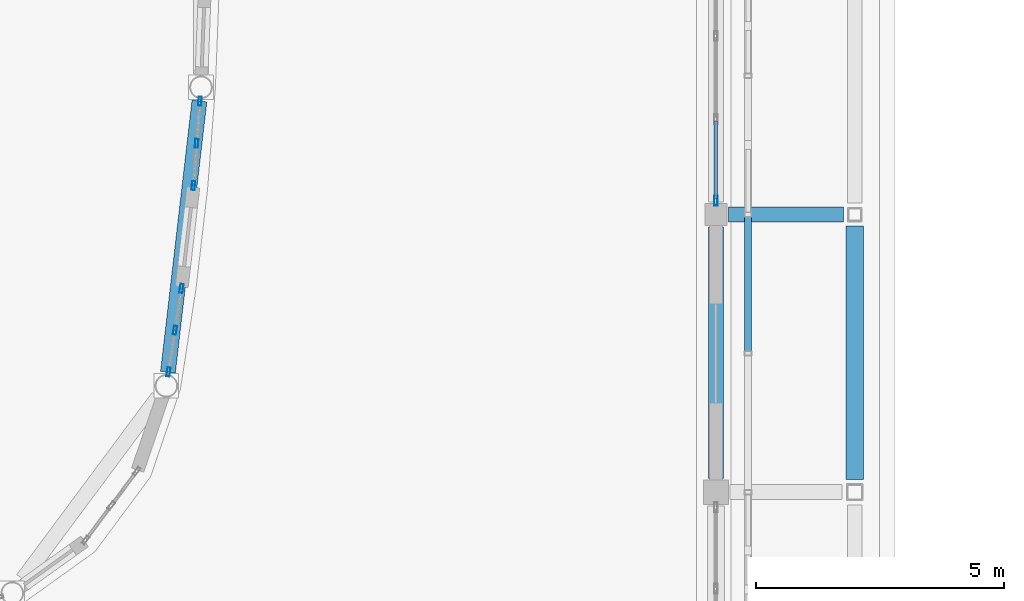
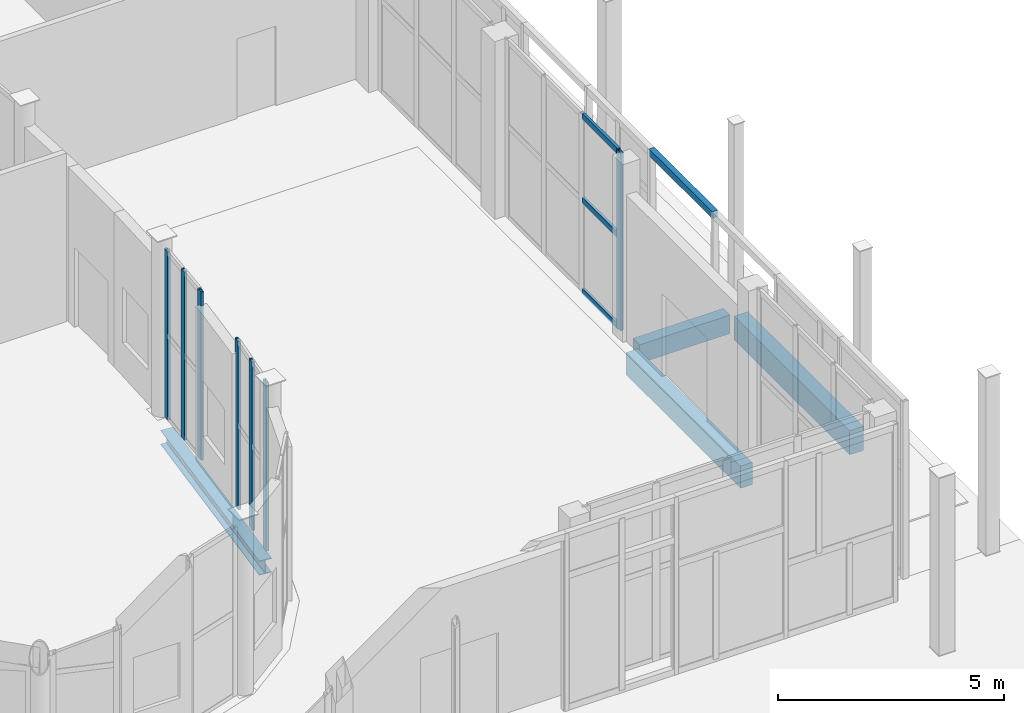
# One storey, part 41 of 91: 11 members, 4 beams, 3 elements without a shape of their own.
"""IFC4 building model written with IfcOpenShell, lengths in metres."""

from ifc_helpers import new_model, si_unit, direction, frame, origin, origin_2d, place, context, subcontext, project, spatial, rectangle, hollow_rectangle, i_section, extrude, material, layer, layer_set, material_profile, profile_set, type_object, element, aggregate, save


model = new_model("IFC4")

# Units and contexts
model_context = context("Model", 3, precision=1e-05, world=origin(), true_north=direction((0.0, 1.0)))
body_context = subcontext(model_context, "Body", "Model", "MODEL_VIEW")
ifc_project = project(units=[si_unit("LENGTHUNIT", "METRE"), si_unit("AREAUNIT", "SQUARE_METRE"), si_unit("VOLUMEUNIT", "CUBIC_METRE"), si_unit("PLANEANGLEUNIT", "RADIAN"), si_unit("MASSUNIT", "GRAM", prefix="KILO")], contexts=[model_context])

# Site, building, storey
site_placement = place(None, origin())
site = spatial("IfcSite", under=ifc_project, at=site_placement, CompositionType="ELEMENT")
building_placement = place(site_placement, origin())
building = spatial("IfcBuilding", under=site, at=building_placement, Name="Vinh Khe Railworks Police Headquarters", CompositionType="ELEMENT")
storey_placement = place(building_placement, origin())
storey = spatial("IfcBuildingStorey", under=building, at=storey_placement, Name="L00", CompositionType="ELEMENT", Elevation=0.0)

# Member
ifc_material_1 = material(Name="Salvaged ironwood timber", Category="wood")
ifc_material_profile_1 = material_profile(ifc_material_1, rectangle(XDim=0.139892578125, YDim=0.179931640625, at=origin_2d()), Name="TIMBER 140x180")
ifc_profile_set_1 = profile_set([ifc_material_profile_1], Name="Salvaged ironwood timber")
member_type_1 = type_object("IfcMemberType", Name="MEM-QUILT-STILE", PredefinedType="CHORD", material=ifc_profile_set_1)
member_1_placement = place(storey_placement, frame((60.64990234375, 33.60009765625, 4.719970703125), z_axis=(0.0, 1.0, 0.0), x_axis=(-1.0, 0.0, 0.0)))
element("IfcMember", 1, at=member_1_placement, inside=storey, type_object=member_type_1, Name="Salvaged Timber Quilt Transom E-L00-03-TOP", PredefinedType="CHORD", context=body_context, shape_type="SweptSolid", body=[
    extrude(rectangle(XDim=0.139892578125, YDim=0.179931640625, at=origin_2d()), origin(), (0.0, 0.0, 1.0), 2.7998046875),
])

# Curtain wall, members
ifc_material_2 = material(Name="Anodised aluminium and acoustic laminated glass", Category="aluminium")
ifc_layer_1 = layer(ifc_material_2, 0.159912109375)
ifc_layer_set_1 = layer_set([ifc_layer_1], Name="Anodised aluminium and acoustic laminated glass")
curtain_wall_type_1 = type_object("IfcCurtainWallType", Name="CW-DRUM-CHORD", PredefinedType="USERDEFINED", material=ifc_layer_set_1)
curtain_wall_1_placement = place(storey_placement, origin())
curtain_wall_1 = element("IfcCurtainWall", 2, at=curtain_wall_1_placement, inside=storey, type_object=curtain_wall_type_1, Name="Elliptical Command Drum Glazing L00 Chord 1", ObjectType="DRUM FACADE GLAZING", PredefinedType="USERDEFINED")
ifc_material_3 = material(Name="Anodised aluminium 6063-T6", Category="aluminium")
ifc_material_profile_2 = material_profile(ifc_material_3, hollow_rectangle(XDim=0.06494140625, YDim=0.179931640625, WallThickness=0.0048828125, at=origin_2d()), Name="CW-M 65x180x5")
ifc_profile_set_2 = profile_set([ifc_material_profile_2], Name="Anodised aluminium 6063-T6")
member_type_2 = type_object("IfcMemberType", Name="MULL-CWM-02", PredefinedType="MULLION", material=ifc_profile_set_2)
member_2_placement = place(storey_placement, frame((48.956298828125, 33.2216796875, 0.0), z_axis=(0.0, 0.0, 1.0), x_axis=(-0.988149989037, 0.153491365117, 0.0)))
member_2 = element("IfcMember", 3, at=member_2_placement, type_object=member_type_2, Name="CW-02 mullion 1", PredefinedType="MULLION", context=body_context, shape_type="SweptSolid", body=[
    extrude(hollow_rectangle(XDim=0.06494140625, YDim=0.179931640625, WallThickness=0.0048828125, at=origin_2d()), origin(), (0.0, 0.0, 1.0), 4.550048828125),
])
member_3_placement = place(storey_placement, frame((49.08740234375, 34.066162109375, 0.0), z_axis=(0.0, 0.0, 1.0), x_axis=(-0.988149989037, 0.153491365117, 0.0)))
member_3 = element("IfcMember", 4, at=member_3_placement, type_object=member_type_2, Name="CW-02 mullion 2", PredefinedType="MULLION", context=body_context, shape_type="SweptSolid", body=[
    extrude(hollow_rectangle(XDim=0.06494140625, YDim=0.179931640625, WallThickness=0.0048828125, at=origin_2d()), origin(), (0.0, 0.0, 1.0), 4.550048828125),
])
member_4_placement = place(storey_placement, frame((49.218505859375, 34.910400390625, 0.0), z_axis=(0.0, 0.0, 1.0), x_axis=(-0.988149989037, 0.153491365117, 0.0)))
member_4 = element("IfcMember", 5, at=member_4_placement, type_object=member_type_2, Name="CW-02 mullion 3", PredefinedType="MULLION", context=body_context, shape_type="SweptSolid", body=[
    extrude(hollow_rectangle(XDim=0.06494140625, YDim=0.179931640625, WallThickness=0.0048828125, at=origin_2d()), origin(), (0.0, 0.0, 1.0), 4.550048828125),
])
aggregate(curtain_wall_1, [member_2, member_3, member_4])

curtain_wall_2_placement = place(storey_placement, origin())
curtain_wall_2 = element("IfcCurtainWall", 6, at=curtain_wall_2_placement, inside=storey, type_object=curtain_wall_type_1, Name="Elliptical Command Drum Glazing L00 Chord 3", ObjectType="DRUM FACADE GLAZING", PredefinedType="USERDEFINED")
member_5_placement = place(storey_placement, frame((49.459228515625, 36.98388671875, 0.0), z_axis=(0.0, 0.0, 1.0), x_axis=(-0.997033391352, 0.076970231448, 0.0)))
member_5 = element("IfcMember", 7, at=member_5_placement, type_object=member_type_2, Name="CW-02 mullion 1", PredefinedType="MULLION", context=body_context, shape_type="SweptSolid", body=[
    extrude(hollow_rectangle(XDim=0.06494140625, YDim=0.179931640625, WallThickness=0.0048828125, at=origin_2d()), origin(), (0.0, 0.0, 1.0), 4.550048828125),
])
member_6_placement = place(storey_placement, frame((49.52490234375, 37.835693359375, 0.0), z_axis=(0.0, 0.0, 1.0), x_axis=(-0.997033391352, 0.076970231448, 0.0)))
member_6 = element("IfcMember", 8, at=member_6_placement, type_object=member_type_2, Name="CW-02 mullion 2", PredefinedType="MULLION", context=body_context, shape_type="SweptSolid", body=[
    extrude(hollow_rectangle(XDim=0.06494140625, YDim=0.179931640625, WallThickness=0.0048828125, at=origin_2d()), origin(), (0.0, 0.0, 1.0), 4.550048828125),
])
member_7_placement = place(storey_placement, frame((49.5908203125, 38.687744140625, 0.0), z_axis=(0.0, 0.0, 1.0), x_axis=(-0.997033391352, 0.076970231448, 0.0)))
member_7 = element("IfcMember", 9, at=member_7_placement, type_object=member_type_2, Name="CW-02 mullion 3", PredefinedType="MULLION", context=body_context, shape_type="SweptSolid", body=[
    extrude(hollow_rectangle(XDim=0.06494140625, YDim=0.179931640625, WallThickness=0.0048828125, at=origin_2d()), origin(), (0.0, 0.0, 1.0), 4.550048828125),
])
aggregate(curtain_wall_2, [member_5, member_6, member_7])

# Curtain wall, member
ifc_material_4 = material(Name="Anodised aluminium and low-iron glass", Category="aluminium")
ifc_layer_2 = layer(ifc_material_4, 0.179931640625)
ifc_layer_set_2 = layer_set([ifc_layer_2], Name="Anodised aluminium and low-iron glass")
curtain_wall_type_2 = type_object("IfcCurtainWallType", Name="CW-CUBE-UNIT", PredefinedType="USERDEFINED", material=ifc_layer_set_2)
curtain_wall_3_placement = place(storey_placement, origin())
curtain_wall_3 = element("IfcCurtainWall", 10, at=curtain_wall_3_placement, inside=storey, type_object=curtain_wall_type_2, Name="Entrance Hall Curtain Wall L00 E-3", ObjectType="UNITISED GLAZING", PredefinedType="USERDEFINED")
ifc_material_profile_3 = material_profile(ifc_material_3, hollow_rectangle(XDim=0.070068359375, YDim=0.199951171875, WallThickness=0.0048828125, at=origin_2d()), Name="CW-M 70x200x5")
ifc_profile_set_3 = profile_set([ifc_material_profile_3], Name="Anodised aluminium 6063-T6")
member_type_3 = type_object("IfcMemberType", Name="MULL-CWM-03", PredefinedType="MULLION", material=ifc_profile_set_3)
member_8_placement = place(storey_placement, frame((60.0, 36.679931640625, 0.0), z_axis=(0.0, 0.0, 1.0), x_axis=(-1.0, 0.0, 0.0)))
member_8 = element("IfcMember", 11, at=member_8_placement, type_object=member_type_3, Name="CW-01 mullion 1", PredefinedType="MULLION", context=body_context, shape_type="SweptSolid", body=[
    extrude(hollow_rectangle(XDim=0.070068359375, YDim=0.199951171875, WallThickness=0.0048828125, at=origin_2d()), origin(), (0.0, 0.0, 1.0), 4.800048828125),
])

# Beams
ifc_material_5 = material(Name="Concrete C35/45 (B35)", Category="concrete")
ifc_material_profile_4 = material_profile(ifc_material_5, rectangle(XDim=0.300048828125, YDim=0.5, at=origin_2d()), Name="RC 300x500")
ifc_profile_set_4 = profile_set([ifc_material_profile_4], Name="Concrete C35/45 (B35)")
beam_type_1 = type_object("IfcBeamType", Name="RC Girder RC 300x500", PredefinedType="BEAM", material=ifc_profile_set_4)
beam_1_placement = place(storey_placement, frame((60.2548828125, 36.39990234375, -0.530029296875), z_axis=(1.0, 0.0, 0.0), x_axis=(0.0, 1.0, 0.0)))
element("IfcBeam", 12, at=beam_1_placement, inside=storey, type_object=beam_type_1, Name="Girder BM-L00-EW-RB-10-0054", PredefinedType="BEAM", context=body_context, shape_type="SweptSolid", body=[
    extrude(rectangle(XDim=0.300048828125, YDim=0.5, at=origin_2d()), origin(), (0.0, 0.0, 1.0), 2.315185546875),
])
ifc_material_profile_5 = material_profile(ifc_material_5, rectangle(XDim=0.300048828125, YDim=0.60009765625, at=origin_2d()), Name="RC 300x600")
ifc_profile_set_5 = profile_set([ifc_material_profile_5], Name="Concrete C35/45 (B35)")
beam_type_2 = type_object("IfcBeamType", Name="RC Girder RC 300x600", PredefinedType="BEAM", material=ifc_profile_set_5)
beam_2_placement = place(storey_placement, frame((60.0, 31.080078125, -0.580078125), z_axis=(0.0, 1.0, 0.0), x_axis=(-1.0, 0.0, 0.0)))
element("IfcBeam", 13, at=beam_2_placement, inside=storey, type_object=beam_type_2, Name="Girder BM-L00-NS-RB-09-0323", PredefinedType="BEAM", context=body_context, shape_type="SweptSolid", body=[
    extrude(rectangle(XDim=0.300048828125, YDim=0.60009765625, at=origin_2d()), origin(), (0.0, 0.0, 1.0), 5.06494140625),
])
ifc_material_profile_6 = material_profile(ifc_material_5, rectangle(XDim=0.35009765625, YDim=0.64990234375, at=origin_2d()), Name="RC 350x650")
ifc_profile_set_6 = profile_set([ifc_material_profile_6], Name="Concrete C35/45 (B35)")
beam_type_3 = type_object("IfcBeamType", Name="RC Girder RC 350x650", PredefinedType="BEAM", material=ifc_profile_set_6)
beam_3_placement = place(storey_placement, frame((62.800048828125, 31.054931640625, -0.60498046875), z_axis=(0.0, 1.0, 0.0), x_axis=(-1.0, 0.0, 0.0)))
element("IfcBeam", 14, at=beam_3_placement, inside=storey, type_object=beam_type_3, Name="Girder BM-L00-NS-RB-08-0337", PredefinedType="BEAM", context=body_context, shape_type="SweptSolid", body=[
    extrude(rectangle(XDim=0.35009765625, YDim=0.64990234375, at=origin_2d()), origin(), (0.0, 0.0, 1.0), 5.114990234375),
])
ifc_material_6 = material(Name="Steel S355JR", Category="steel")
ifc_material_profile_7 = material_profile(ifc_material_6, i_section(OverallWidth=0.300048828125, OverallDepth=0.389892578125, WebThickness=0.010986328125, FlangeThickness=0.01904296875, FilletRadius=0.027099609375, at=origin_2d()), Name="HEA 400")
ifc_profile_set_7 = profile_set([ifc_material_profile_7], Name="Steel S355JR")
beam_type_4 = type_object("IfcBeamType", Name="Steel Girder HEA 400", PredefinedType="BEAM", material=ifc_profile_set_7)
beam_4_placement = place(storey_placement, frame((48.9453125, 33.22216796875, -0.47509765625), z_axis=(0.115322750313, 0.993328074334, 0.0), x_axis=(-0.993328074334, 0.115322750313, 0.0)))
element("IfcBeam", 15, at=beam_4_placement, inside=storey, type_object=beam_type_4, Name="Drum Ring Girder BM-L00-DRUM-SB-14-0395", PredefinedType="BEAM", context=body_context, shape_type="SweptSolid", body=[
    extrude(i_section(OverallWidth=0.300048828125, OverallDepth=0.389892578125, WebThickness=0.010986328125, FlangeThickness=0.01904296875, FilletRadius=0.027099609375, at=origin_2d()), origin(), (0.0, 0.0, 1.0), 5.504150390625),
])

# Member
ifc_material_profile_8 = material_profile(ifc_material_3, hollow_rectangle(XDim=0.070068359375, YDim=0.14990234375, WallThickness=0.0048828125, at=origin_2d()), Name="CW-T 70x150x5")
ifc_profile_set_8 = profile_set([ifc_material_profile_8], Name="Anodised aluminium 6063-T6")
member_type_4 = type_object("IfcMemberType", Name="TRAN-CWT-03", PredefinedType="USERDEFINED", material=ifc_profile_set_8)
member_9_placement = place(storey_placement, frame((60.0, 36.715087890625, 0.034912109375), z_axis=(0.0, 1.0, 0.0), x_axis=(-1.0, 0.0, 0.0)))
member_9 = element("IfcMember", 16, at=member_9_placement, type_object=member_type_4, Name="CW-01 transom 1.1", ObjectType="TRANSOM", PredefinedType="USERDEFINED", context=body_context, shape_type="SweptSolid", body=[
    extrude(hollow_rectangle(XDim=0.070068359375, YDim=0.14990234375, WallThickness=0.0048828125, at=origin_2d()), origin(), (0.0, 0.0, 1.0), 1.5732421875),
])

member_10_placement = place(storey_placement, frame((60.0, 36.715087890625, 2.49609375), z_axis=(0.0, 1.0, 0.0), x_axis=(-1.0, 0.0, 0.0)))
member_10 = element("IfcMember", 17, at=member_10_placement, type_object=member_type_4, Name="CW-01 transom 1.2", ObjectType="TRANSOM", PredefinedType="USERDEFINED", context=body_context, shape_type="SweptSolid", body=[
    extrude(hollow_rectangle(XDim=0.070068359375, YDim=0.14990234375, WallThickness=0.0048828125, at=origin_2d()), origin(), (0.0, 0.0, 1.0), 1.5732421875),
])

member_11_placement = place(storey_placement, frame((60.0, 36.715087890625, 4.764892578125), z_axis=(0.0, 1.0, 0.0), x_axis=(-1.0, 0.0, 0.0)))
member_11 = element("IfcMember", 18, at=member_11_placement, type_object=member_type_4, Name="CW-01 transom 1.3", ObjectType="TRANSOM", PredefinedType="USERDEFINED", context=body_context, shape_type="SweptSolid", body=[
    extrude(hollow_rectangle(XDim=0.070068359375, YDim=0.14990234375, WallThickness=0.0048828125, at=origin_2d()), origin(), (0.0, 0.0, 1.0), 1.5732421875),
])

aggregate(curtain_wall_3, [member_8, member_9, member_10, member_11])

save(model, "model.ifc")
